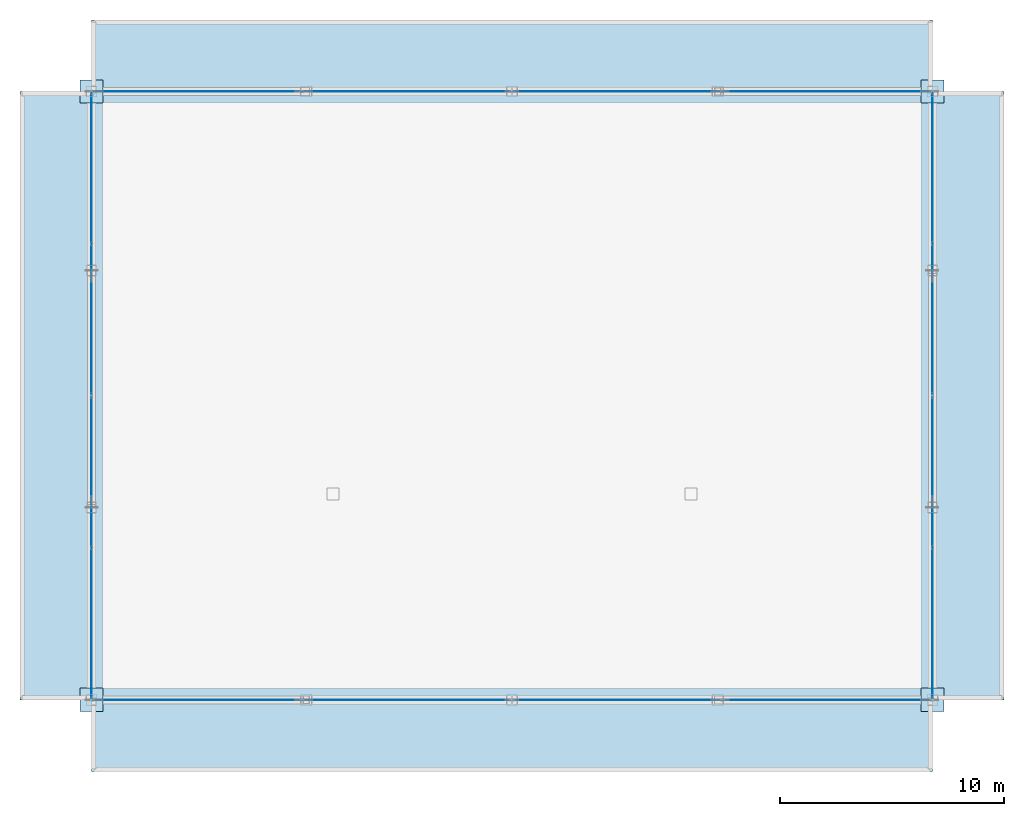
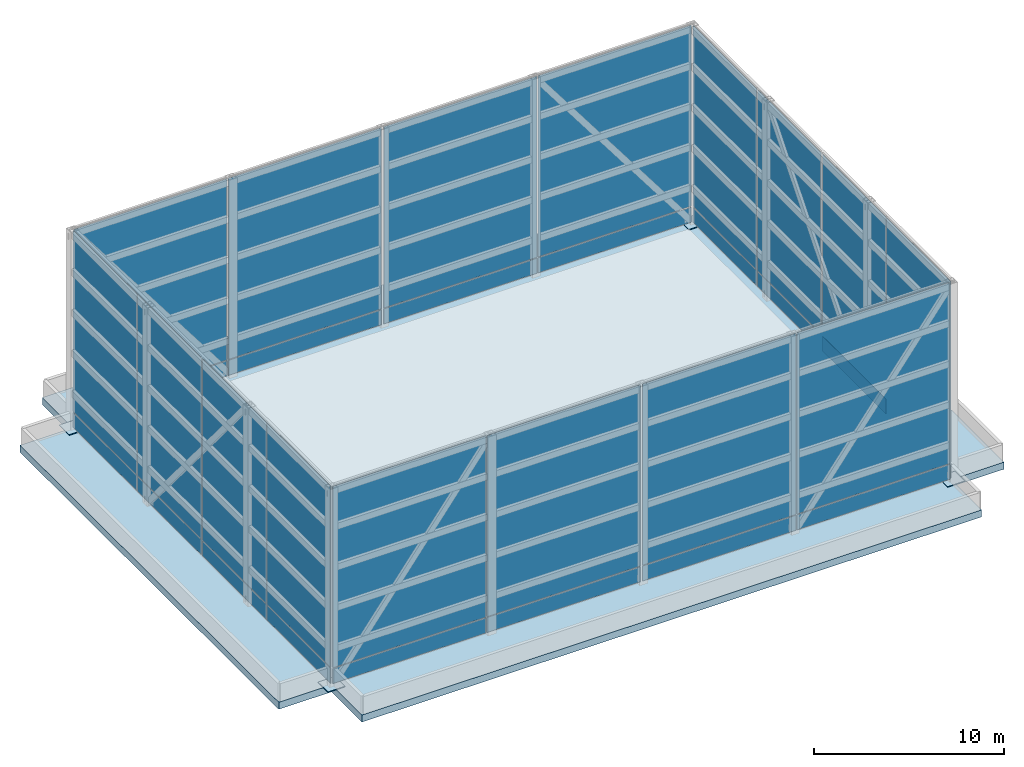
# One storey, part 20 of 23: 36 plates, 1 slab, 8 elements without a shape of their own.
"""IFC4 building model written with IfcOpenShell, lengths in metres."""

from ifc_helpers import new_model, si_unit, direction, frame, origin, origin_2d, place, context, subcontext, project, spatial, polyline, rectangle, outline, extrude, source, transform, mapped, material, layer, layer_set, type_object, type_shapes, element, aggregate, save


model = new_model("IFC4")

# Units and contexts
model_context = context("Model", 3, precision=1e-05, world=origin(), true_north=direction((0.0, 1.0)))
body_context = subcontext(model_context, "Body", "Model", "MODEL_VIEW")
ifc_project = project(units=[si_unit("LENGTHUNIT", "METRE"), si_unit("AREAUNIT", "SQUARE_METRE"), si_unit("VOLUMEUNIT", "CUBIC_METRE"), si_unit("PLANEANGLEUNIT", "RADIAN"), si_unit("MASSUNIT", "GRAM", prefix="KILO")], contexts=[model_context])

# Site, building, storey
site_placement = place(None, origin())
site = spatial("IfcSite", under=ifc_project, at=site_placement, CompositionType="ELEMENT")
building_placement = place(site_placement, origin())
building = spatial("IfcBuilding", under=site, at=building_placement, Name="Varnel Quay Broadcast Tower", CompositionType="ELEMENT")
storey_placement = place(building_placement, frame((0.0, 0.0, 319.800048828125)))
storey = spatial("IfcBuildingStorey", under=building, at=storey_placement, Name="Roof", CompositionType="ELEMENT", Elevation=319.800048828125)

# Slab
ifc_material_1 = material(Name="Concrete CSA A23.3 C50/60", Category="concrete")
ifc_layer_1 = layer(ifc_material_1, 0.449951171875, Name="Concrete CSA A23.3 C50/60")
ifc_layer_set_1 = layer_set([ifc_layer_1], Name="Concrete CSA A23.3 C50/60")
slab_type = type_object("IfcSlabType", Name="Slab_Roof450", PredefinedType="ROOF", material=ifc_layer_set_1)
slab_placement = place(storey_placement, frame((0.0, 0.0, -0.449951171875)))
element("IfcSlab", 1, at=slab_placement, inside=storey, type_object=slab_type, Name="Roof Structural Slab", PredefinedType="ROOF", context=body_context, shape_type="SweptSolid", body=[
    extrude(outline(polyline([(15.199951171875, 13.199951171875), (52.800048828125, 13.199951171875), (52.800048828125, 16.39990234375), (56.0, 16.39990234375), (56.0, 43.60009765625), (52.800048828125, 43.60009765625), (52.800048828125, 46.800048828125), (15.199951171875, 46.800048828125), (15.199951171875, 43.60009765625), (12.0, 43.60009765625), (12.0, 16.39990234375), (15.199951171875, 16.39990234375), (15.199951171875, 13.199951171875)])), origin(), (0.0, 0.0, 1.0), 0.449951171875),
])

# Plates
ifc_material_2 = material(Name="Structural Steel CSA G40.21 350WT", Category="steel")
ifc_layer_2 = layer(ifc_material_2, 0.050048828125, Name="Structural Steel CSA G40.21 350WT")
ifc_layer_set_2 = layer_set([ifc_layer_2], Name="Structural Steel CSA G40.21 350WT")
plate_type_1 = type_object("IfcPlateType", Name="Plate_BasePlate", PredefinedType="SHEET", material=ifc_layer_set_2)
shared_shape_1 = source(origin(), body_context, "Body", "SweptSolid", [
    extrude(rectangle(XDim=1.0400390625, YDim=1.0400390625, at=origin_2d()), origin(), (0.0, 0.0, 1.0), 0.050048828125),
])
type_shapes(plate_type_1, [shared_shape_1])
for number, where, z_axis, x_axis, name in (
    (2, (15.199951171875, 16.39990234375, -0.0048828125), (0.0, 0.0, 1.0), (1.0, 0.0, 0.0), "L78 Hollow Column Top Cap Plate MC-SW"),
    (3, (52.800048828125, 16.39990234375, -0.0048828125), (0.0, 0.0, 1.0), (1.0, 0.0, 0.0), "L78 Hollow Column Top Cap Plate MC-SE"),
    (4, (52.800048828125, 43.60009765625, -0.0048828125), (0.0, 0.0, 1.0), (1.0, 0.0, 0.0), "L78 Hollow Column Top Cap Plate MC-NE"),
    (5, (15.199951171875, 43.60009765625, -0.0048828125), (0.0, 0.0, 1.0), (1.0, 0.0, 0.0), "L78 Hollow Column Top Cap Plate MC-NW"),
):
    element("IfcPlate", number, at=place(storey_placement, frame(where, z_axis=z_axis, x_axis=x_axis)), inside=storey, type_object=plate_type_1, Name=name, PredefinedType="SHEET", context=body_context, shape_type="MappedRepresentation", body=[
        mapped(shared_shape_1, transform((0.0, 0.0, 0.0), x_axis=(1.0, 0.0, 0.0), y_axis=(0.0, 1.0, 0.0), z_axis=(0.0, 0.0, 1.0), scale=1.0)),
    ])

# Curtain wall, plates
ifc_material_3 = material(Name="Anodised Bronze Aluminium 6063-T6", Category="aluminium")
ifc_layer_3 = layer(ifc_material_3, 0.18994140625, Name="Anodised Bronze Aluminium 6063-T6")
ifc_layer_set_3 = layer_set([ifc_layer_3], Name="Anodised Bronze Aluminium 6063-T6")
curtain_wall_type = type_object("IfcCurtainWallType", Name="CW_CrownScreen", PredefinedType="NOTDEFINED", material=ifc_layer_set_3)
curtain_wall_1_placement = place(storey_placement, origin())
curtain_wall_1 = element("IfcCurtainWall", 6, at=curtain_wall_1_placement, inside=storey, type_object=curtain_wall_type, Name="Ring Crown Bronze Glazed Louvre Screen S1", PredefinedType="NOTDEFINED")
ifc_material_4 = material(Name="Insulated Bronze Spandrel Glass", Category="glass")
ifc_layer_4 = layer(ifc_material_4, 0.02587890625, Name="Insulated Bronze Spandrel Glass")
ifc_layer_set_4 = layer_set([ifc_layer_4], Name="Insulated Bronze Spandrel Glass")
plate_type_2 = type_object("IfcPlateType", Name="Panel_CWS-06", PredefinedType="CURTAIN_PANEL", material=ifc_layer_set_4)
shared_shape_2 = source(origin(), body_context, "Body", "SweptSolid", [
    extrude(rectangle(XDim=9.294921875, YDim=0.02587890625, at=origin_2d()), origin(), (0.0, 0.0, 1.0), 0.9599609375),
])
plate_1_placement = place(storey_placement, frame((19.91748046875, 16.39990234375, 0.06005859375), z_axis=(0.0, 0.0, 1.0), x_axis=(1.0, 0.0, 0.0)))
plate_1 = element("IfcPlate", 7, at=plate_1_placement, type_object=plate_type_2, Name="CWS-06 panel 1.1", PredefinedType="CURTAIN_PANEL", context=body_context, shape_type="MappedRepresentation", body=[
    mapped(shared_shape_2, transform((0.0, 0.0, 0.0), x_axis=(1.0, 0.0, 0.0), y_axis=(0.0, 1.0, 0.0), z_axis=(0.0, 0.0, 1.0), scale=1.0)),
])
plate_2_placement = place(storey_placement, frame((29.282470703125, 16.39990234375, 0.06005859375), z_axis=(0.0, 0.0, 1.0), x_axis=(1.0, 0.0, 0.0)))
plate_2 = element("IfcPlate", 8, at=plate_2_placement, type_object=plate_type_2, Name="CWS-06 panel 2.1", PredefinedType="CURTAIN_PANEL", context=body_context, shape_type="MappedRepresentation", body=[
    mapped(shared_shape_2, transform((0.0, 0.0, 0.0), x_axis=(1.0, 0.0, 0.0), y_axis=(0.0, 1.0, 0.0), z_axis=(0.0, 0.0, 1.0), scale=1.0)),
])

curtain_wall_2_placement = place(storey_placement, origin())
curtain_wall_2 = element("IfcCurtainWall", 9, at=curtain_wall_2_placement, inside=storey, type_object=curtain_wall_type, Name="Ring Crown Bronze Glazed Louvre Screen S2", PredefinedType="NOTDEFINED")
plate_3_placement = place(storey_placement, frame((38.717529296875, 16.39990234375, 0.06005859375), z_axis=(0.0, 0.0, 1.0), x_axis=(1.0, 0.0, 0.0)))
plate_3 = element("IfcPlate", 10, at=plate_3_placement, type_object=plate_type_2, Name="CWS-06 panel 1.1", PredefinedType="CURTAIN_PANEL", context=body_context, shape_type="MappedRepresentation", body=[
    mapped(shared_shape_2, transform((0.0, 0.0, 0.0), x_axis=(1.0, 0.0, 0.0), y_axis=(0.0, 1.0, 0.0), z_axis=(0.0, 0.0, 1.0), scale=1.0)),
])
plate_4_placement = place(storey_placement, frame((48.08251953125, 16.39990234375, 0.06005859375), z_axis=(0.0, 0.0, 1.0), x_axis=(1.0, 0.0, 0.0)))
plate_4 = element("IfcPlate", 11, at=plate_4_placement, type_object=plate_type_2, Name="CWS-06 panel 2.1", PredefinedType="CURTAIN_PANEL", context=body_context, shape_type="MappedRepresentation", body=[
    mapped(shared_shape_2, transform((0.0, 0.0, 0.0), x_axis=(1.0, 0.0, 0.0), y_axis=(0.0, 1.0, 0.0), z_axis=(0.0, 0.0, 1.0), scale=1.0)),
])

curtain_wall_3_placement = place(storey_placement, origin())
curtain_wall_3 = element("IfcCurtainWall", 12, at=curtain_wall_3_placement, inside=storey, type_object=curtain_wall_type, Name="Ring Crown Bronze Glazed Louvre Screen N1", PredefinedType="NOTDEFINED")
plate_5_placement = place(storey_placement, frame((48.08251953125, 43.60009765625, 0.06005859375), z_axis=(0.0, 0.0, 1.0), x_axis=(-1.0, 0.0, 0.0)))
plate_5 = element("IfcPlate", 13, at=plate_5_placement, type_object=plate_type_2, Name="CWS-06 panel 1.1", PredefinedType="CURTAIN_PANEL", context=body_context, shape_type="MappedRepresentation", body=[
    mapped(shared_shape_2, transform((0.0, 0.0, 0.0), x_axis=(1.0, 0.0, 0.0), y_axis=(0.0, 1.0, 0.0), z_axis=(0.0, 0.0, 1.0), scale=1.0)),
])
plate_6_placement = place(storey_placement, frame((38.717529296875, 43.60009765625, 0.06005859375), z_axis=(0.0, 0.0, 1.0), x_axis=(-1.0, 0.0, 0.0)))
plate_6 = element("IfcPlate", 14, at=plate_6_placement, type_object=plate_type_2, Name="CWS-06 panel 2.1", PredefinedType="CURTAIN_PANEL", context=body_context, shape_type="MappedRepresentation", body=[
    mapped(shared_shape_2, transform((0.0, 0.0, 0.0), x_axis=(1.0, 0.0, 0.0), y_axis=(0.0, 1.0, 0.0), z_axis=(0.0, 0.0, 1.0), scale=1.0)),
])

curtain_wall_4_placement = place(storey_placement, origin())
curtain_wall_4 = element("IfcCurtainWall", 15, at=curtain_wall_4_placement, inside=storey, type_object=curtain_wall_type, Name="Ring Crown Bronze Glazed Louvre Screen N2", PredefinedType="NOTDEFINED")
plate_7_placement = place(storey_placement, frame((29.282470703125, 43.60009765625, 0.06005859375), z_axis=(0.0, 0.0, 1.0), x_axis=(-1.0, 0.0, 0.0)))
plate_7 = element("IfcPlate", 16, at=plate_7_placement, type_object=plate_type_2, Name="CWS-06 panel 1.1", PredefinedType="CURTAIN_PANEL", context=body_context, shape_type="MappedRepresentation", body=[
    mapped(shared_shape_2, transform((0.0, 0.0, 0.0), x_axis=(1.0, 0.0, 0.0), y_axis=(0.0, 1.0, 0.0), z_axis=(0.0, 0.0, 1.0), scale=1.0)),
])
plate_8_placement = place(storey_placement, frame((19.91748046875, 43.60009765625, 0.06005859375), z_axis=(0.0, 0.0, 1.0), x_axis=(-1.0, 0.0, 0.0)))
plate_8 = element("IfcPlate", 17, at=plate_8_placement, type_object=plate_type_2, Name="CWS-06 panel 2.1", PredefinedType="CURTAIN_PANEL", context=body_context, shape_type="MappedRepresentation", body=[
    mapped(shared_shape_2, transform((0.0, 0.0, 0.0), x_axis=(1.0, 0.0, 0.0), y_axis=(0.0, 1.0, 0.0), z_axis=(0.0, 0.0, 1.0), scale=1.0)),
])

# Plate
shared_shape_3 = source(origin(), body_context, "Body", "SweptSolid", [
    extrude(rectangle(XDim=9.294921875, YDim=0.02587890625, at=origin_2d()), origin(), (0.0, 0.0, 1.0), 11.610107421875),
])
plate_9_placement = place(storey_placement, frame((19.91748046875, 16.39990234375, 1.080078125), z_axis=(0.0, 0.0, 1.0), x_axis=(1.0, 0.0, 0.0)))
plate_9 = element("IfcPlate", 18, at=plate_9_placement, type_object=plate_type_2, Name="CWS-06 panel 1.2", PredefinedType="CURTAIN_PANEL", context=body_context, shape_type="MappedRepresentation", body=[
    mapped(shared_shape_3, transform((0.0, 0.0, 0.0), x_axis=(1.0, 0.0, 0.0), y_axis=(0.0, 1.0, 0.0), z_axis=(0.0, 0.0, 1.0), scale=1.0)),
])

plate_10_placement = place(storey_placement, frame((29.282470703125, 16.39990234375, 1.080078125), z_axis=(0.0, 0.0, 1.0), x_axis=(1.0, 0.0, 0.0)))
plate_10 = element("IfcPlate", 19, at=plate_10_placement, type_object=plate_type_2, Name="CWS-06 panel 2.2", PredefinedType="CURTAIN_PANEL", context=body_context, shape_type="MappedRepresentation", body=[
    mapped(shared_shape_3, transform((0.0, 0.0, 0.0), x_axis=(1.0, 0.0, 0.0), y_axis=(0.0, 1.0, 0.0), z_axis=(0.0, 0.0, 1.0), scale=1.0)),
])

aggregate(curtain_wall_1, [plate_1, plate_9, plate_2, plate_10])

plate_11_placement = place(storey_placement, frame((38.717529296875, 16.39990234375, 1.080078125), z_axis=(0.0, 0.0, 1.0), x_axis=(1.0, 0.0, 0.0)))
plate_11 = element("IfcPlate", 20, at=plate_11_placement, type_object=plate_type_2, Name="CWS-06 panel 1.2", PredefinedType="CURTAIN_PANEL", context=body_context, shape_type="MappedRepresentation", body=[
    mapped(shared_shape_3, transform((0.0, 0.0, 0.0), x_axis=(1.0, 0.0, 0.0), y_axis=(0.0, 1.0, 0.0), z_axis=(0.0, 0.0, 1.0), scale=1.0)),
])

plate_12_placement = place(storey_placement, frame((48.08251953125, 16.39990234375, 1.080078125), z_axis=(0.0, 0.0, 1.0), x_axis=(1.0, 0.0, 0.0)))
plate_12 = element("IfcPlate", 21, at=plate_12_placement, type_object=plate_type_2, Name="CWS-06 panel 2.2", PredefinedType="CURTAIN_PANEL", context=body_context, shape_type="MappedRepresentation", body=[
    mapped(shared_shape_3, transform((0.0, 0.0, 0.0), x_axis=(1.0, 0.0, 0.0), y_axis=(0.0, 1.0, 0.0), z_axis=(0.0, 0.0, 1.0), scale=1.0)),
])

aggregate(curtain_wall_2, [plate_3, plate_11, plate_4, plate_12])

plate_13_placement = place(storey_placement, frame((48.08251953125, 43.60009765625, 1.080078125), z_axis=(0.0, 0.0, 1.0), x_axis=(-1.0, 0.0, 0.0)))
plate_13 = element("IfcPlate", 22, at=plate_13_placement, type_object=plate_type_2, Name="CWS-06 panel 1.2", PredefinedType="CURTAIN_PANEL", context=body_context, shape_type="MappedRepresentation", body=[
    mapped(shared_shape_3, transform((0.0, 0.0, 0.0), x_axis=(1.0, 0.0, 0.0), y_axis=(0.0, 1.0, 0.0), z_axis=(0.0, 0.0, 1.0), scale=1.0)),
])

plate_14_placement = place(storey_placement, frame((38.717529296875, 43.60009765625, 1.080078125), z_axis=(0.0, 0.0, 1.0), x_axis=(-1.0, 0.0, 0.0)))
plate_14 = element("IfcPlate", 23, at=plate_14_placement, type_object=plate_type_2, Name="CWS-06 panel 2.2", PredefinedType="CURTAIN_PANEL", context=body_context, shape_type="MappedRepresentation", body=[
    mapped(shared_shape_3, transform((0.0, 0.0, 0.0), x_axis=(1.0, 0.0, 0.0), y_axis=(0.0, 1.0, 0.0), z_axis=(0.0, 0.0, 1.0), scale=1.0)),
])

aggregate(curtain_wall_3, [plate_5, plate_13, plate_6, plate_14])

plate_15_placement = place(storey_placement, frame((29.282470703125, 43.60009765625, 1.080078125), z_axis=(0.0, 0.0, 1.0), x_axis=(-1.0, 0.0, 0.0)))
plate_15 = element("IfcPlate", 24, at=plate_15_placement, type_object=plate_type_2, Name="CWS-06 panel 1.2", PredefinedType="CURTAIN_PANEL", context=body_context, shape_type="MappedRepresentation", body=[
    mapped(shared_shape_3, transform((0.0, 0.0, 0.0), x_axis=(1.0, 0.0, 0.0), y_axis=(0.0, 1.0, 0.0), z_axis=(0.0, 0.0, 1.0), scale=1.0)),
])

plate_16_placement = place(storey_placement, frame((19.91748046875, 43.60009765625, 1.080078125), z_axis=(0.0, 0.0, 1.0), x_axis=(-1.0, 0.0, 0.0)))
plate_16 = element("IfcPlate", 25, at=plate_16_placement, type_object=plate_type_2, Name="CWS-06 panel 2.2", PredefinedType="CURTAIN_PANEL", context=body_context, shape_type="MappedRepresentation", body=[
    mapped(shared_shape_3, transform((0.0, 0.0, 0.0), x_axis=(1.0, 0.0, 0.0), y_axis=(0.0, 1.0, 0.0), z_axis=(0.0, 0.0, 1.0), scale=1.0)),
])

aggregate(curtain_wall_4, [plate_7, plate_15, plate_8, plate_16])

# Curtain wall, plates
curtain_wall_5_placement = place(storey_placement, origin())
curtain_wall_5 = element("IfcCurtainWall", 26, at=curtain_wall_5_placement, inside=storey, type_object=curtain_wall_type, Name="Ring Crown Bronze Glazed Louvre Screen E1", PredefinedType="NOTDEFINED")
shared_shape_4 = source(origin(), body_context, "Body", "SweptSolid", [
    extrude(rectangle(XDim=6.695068359375, YDim=0.02587890625, at=origin_2d()), origin(), (0.0, 0.0, 1.0), 0.9599609375),
])
plate_17_placement = place(storey_placement, frame((52.800048828125, 19.8173828125, 0.06005859375), z_axis=(0.0, 0.0, 1.0), x_axis=(0.0, 1.0, 0.0)))
plate_17 = element("IfcPlate", 27, at=plate_17_placement, type_object=plate_type_2, Name="CWS-06 panel 1.1", PredefinedType="CURTAIN_PANEL", context=body_context, shape_type="MappedRepresentation", body=[
    mapped(shared_shape_4, transform((0.0, 0.0, 0.0), x_axis=(1.0, 0.0, 0.0), y_axis=(0.0, 1.0, 0.0), z_axis=(0.0, 0.0, 1.0), scale=1.0)),
])
plate_18_placement = place(storey_placement, frame((52.800048828125, 26.58251953125, 0.06005859375), z_axis=(0.0, 0.0, 1.0), x_axis=(0.0, 1.0, 0.0)))
plate_18 = element("IfcPlate", 28, at=plate_18_placement, type_object=plate_type_2, Name="CWS-06 panel 2.1", PredefinedType="CURTAIN_PANEL", context=body_context, shape_type="MappedRepresentation", body=[
    mapped(shared_shape_4, transform((0.0, 0.0, 0.0), x_axis=(1.0, 0.0, 0.0), y_axis=(0.0, 1.0, 0.0), z_axis=(0.0, 0.0, 1.0), scale=1.0)),
])

curtain_wall_6_placement = place(storey_placement, origin())
curtain_wall_6 = element("IfcCurtainWall", 29, at=curtain_wall_6_placement, inside=storey, type_object=curtain_wall_type, Name="Ring Crown Bronze Glazed Louvre Screen E2", PredefinedType="NOTDEFINED")
plate_19_placement = place(storey_placement, frame((52.800048828125, 33.41748046875, 0.06005859375), z_axis=(0.0, 0.0, 1.0), x_axis=(0.0, 1.0, 0.0)))
plate_19 = element("IfcPlate", 30, at=plate_19_placement, type_object=plate_type_2, Name="CWS-06 panel 1.1", PredefinedType="CURTAIN_PANEL", context=body_context, shape_type="MappedRepresentation", body=[
    mapped(shared_shape_4, transform((0.0, 0.0, 0.0), x_axis=(1.0, 0.0, 0.0), y_axis=(0.0, 1.0, 0.0), z_axis=(0.0, 0.0, 1.0), scale=1.0)),
])
plate_20_placement = place(storey_placement, frame((52.800048828125, 40.1826171875, 0.06005859375), z_axis=(0.0, 0.0, 1.0), x_axis=(0.0, 1.0, 0.0)))
plate_20 = element("IfcPlate", 31, at=plate_20_placement, type_object=plate_type_2, Name="CWS-06 panel 2.1", PredefinedType="CURTAIN_PANEL", context=body_context, shape_type="MappedRepresentation", body=[
    mapped(shared_shape_4, transform((0.0, 0.0, 0.0), x_axis=(1.0, 0.0, 0.0), y_axis=(0.0, 1.0, 0.0), z_axis=(0.0, 0.0, 1.0), scale=1.0)),
])

curtain_wall_7_placement = place(storey_placement, origin())
curtain_wall_7 = element("IfcCurtainWall", 32, at=curtain_wall_7_placement, inside=storey, type_object=curtain_wall_type, Name="Ring Crown Bronze Glazed Louvre Screen W1", PredefinedType="NOTDEFINED")
plate_21_placement = place(storey_placement, frame((15.199951171875, 40.1826171875, 0.06005859375), z_axis=(0.0, 0.0, 1.0), x_axis=(0.0, -1.0, 0.0)))
plate_21 = element("IfcPlate", 33, at=plate_21_placement, type_object=plate_type_2, Name="CWS-06 panel 1.1", PredefinedType="CURTAIN_PANEL", context=body_context, shape_type="MappedRepresentation", body=[
    mapped(shared_shape_4, transform((0.0, 0.0, 0.0), x_axis=(1.0, 0.0, 0.0), y_axis=(0.0, 1.0, 0.0), z_axis=(0.0, 0.0, 1.0), scale=1.0)),
])
plate_22_placement = place(storey_placement, frame((15.199951171875, 33.41748046875, 0.06005859375), z_axis=(0.0, 0.0, 1.0), x_axis=(0.0, -1.0, 0.0)))
plate_22 = element("IfcPlate", 34, at=plate_22_placement, type_object=plate_type_2, Name="CWS-06 panel 2.1", PredefinedType="CURTAIN_PANEL", context=body_context, shape_type="MappedRepresentation", body=[
    mapped(shared_shape_4, transform((0.0, 0.0, 0.0), x_axis=(1.0, 0.0, 0.0), y_axis=(0.0, 1.0, 0.0), z_axis=(0.0, 0.0, 1.0), scale=1.0)),
])

curtain_wall_8_placement = place(storey_placement, origin())
curtain_wall_8 = element("IfcCurtainWall", 35, at=curtain_wall_8_placement, inside=storey, type_object=curtain_wall_type, Name="Ring Crown Bronze Glazed Louvre Screen W2", PredefinedType="NOTDEFINED")
plate_23_placement = place(storey_placement, frame((15.199951171875, 26.58251953125, 0.06005859375), z_axis=(0.0, 0.0, 1.0), x_axis=(0.0, -1.0, 0.0)))
plate_23 = element("IfcPlate", 36, at=plate_23_placement, type_object=plate_type_2, Name="CWS-06 panel 1.1", PredefinedType="CURTAIN_PANEL", context=body_context, shape_type="MappedRepresentation", body=[
    mapped(shared_shape_4, transform((0.0, 0.0, 0.0), x_axis=(1.0, 0.0, 0.0), y_axis=(0.0, 1.0, 0.0), z_axis=(0.0, 0.0, 1.0), scale=1.0)),
])
plate_24_placement = place(storey_placement, frame((15.199951171875, 19.8173828125, 0.06005859375), z_axis=(0.0, 0.0, 1.0), x_axis=(0.0, -1.0, 0.0)))
plate_24 = element("IfcPlate", 37, at=plate_24_placement, type_object=plate_type_2, Name="CWS-06 panel 2.1", PredefinedType="CURTAIN_PANEL", context=body_context, shape_type="MappedRepresentation", body=[
    mapped(shared_shape_4, transform((0.0, 0.0, 0.0), x_axis=(1.0, 0.0, 0.0), y_axis=(0.0, 1.0, 0.0), z_axis=(0.0, 0.0, 1.0), scale=1.0)),
])

# Plate
shared_shape_5 = source(origin(), body_context, "Body", "SweptSolid", [
    extrude(rectangle(XDim=6.695068359375, YDim=0.02587890625, at=origin_2d()), origin(), (0.0, 0.0, 1.0), 11.610107421875),
])
type_shapes(plate_type_2, [shared_shape_2, shared_shape_3, shared_shape_4, shared_shape_5])
plate_25_placement = place(storey_placement, frame((52.800048828125, 19.8173828125, 1.080078125), z_axis=(0.0, 0.0, 1.0), x_axis=(0.0, 1.0, 0.0)))
plate_25 = element("IfcPlate", 38, at=plate_25_placement, type_object=plate_type_2, Name="CWS-06 panel 1.2", PredefinedType="CURTAIN_PANEL", context=body_context, shape_type="MappedRepresentation", body=[
    mapped(shared_shape_5, transform((0.0, 0.0, 0.0), x_axis=(1.0, 0.0, 0.0), y_axis=(0.0, 1.0, 0.0), z_axis=(0.0, 0.0, 1.0), scale=1.0)),
])

plate_26_placement = place(storey_placement, frame((52.800048828125, 26.58251953125, 1.080078125), z_axis=(0.0, 0.0, 1.0), x_axis=(0.0, 1.0, 0.0)))
plate_26 = element("IfcPlate", 39, at=plate_26_placement, type_object=plate_type_2, Name="CWS-06 panel 2.2", PredefinedType="CURTAIN_PANEL", context=body_context, shape_type="MappedRepresentation", body=[
    mapped(shared_shape_5, transform((0.0, 0.0, 0.0), x_axis=(1.0, 0.0, 0.0), y_axis=(0.0, 1.0, 0.0), z_axis=(0.0, 0.0, 1.0), scale=1.0)),
])

aggregate(curtain_wall_5, [plate_17, plate_25, plate_18, plate_26])

plate_27_placement = place(storey_placement, frame((52.800048828125, 33.41748046875, 1.080078125), z_axis=(0.0, 0.0, 1.0), x_axis=(0.0, 1.0, 0.0)))
plate_27 = element("IfcPlate", 40, at=plate_27_placement, type_object=plate_type_2, Name="CWS-06 panel 1.2", PredefinedType="CURTAIN_PANEL", context=body_context, shape_type="MappedRepresentation", body=[
    mapped(shared_shape_5, transform((0.0, 0.0, 0.0), x_axis=(1.0, 0.0, 0.0), y_axis=(0.0, 1.0, 0.0), z_axis=(0.0, 0.0, 1.0), scale=1.0)),
])

plate_28_placement = place(storey_placement, frame((52.800048828125, 40.1826171875, 1.080078125), z_axis=(0.0, 0.0, 1.0), x_axis=(0.0, 1.0, 0.0)))
plate_28 = element("IfcPlate", 41, at=plate_28_placement, type_object=plate_type_2, Name="CWS-06 panel 2.2", PredefinedType="CURTAIN_PANEL", context=body_context, shape_type="MappedRepresentation", body=[
    mapped(shared_shape_5, transform((0.0, 0.0, 0.0), x_axis=(1.0, 0.0, 0.0), y_axis=(0.0, 1.0, 0.0), z_axis=(0.0, 0.0, 1.0), scale=1.0)),
])

aggregate(curtain_wall_6, [plate_19, plate_27, plate_20, plate_28])

plate_29_placement = place(storey_placement, frame((15.199951171875, 40.1826171875, 1.080078125), z_axis=(0.0, 0.0, 1.0), x_axis=(0.0, -1.0, 0.0)))
plate_29 = element("IfcPlate", 42, at=plate_29_placement, type_object=plate_type_2, Name="CWS-06 panel 1.2", PredefinedType="CURTAIN_PANEL", context=body_context, shape_type="MappedRepresentation", body=[
    mapped(shared_shape_5, transform((0.0, 0.0, 0.0), x_axis=(1.0, 0.0, 0.0), y_axis=(0.0, 1.0, 0.0), z_axis=(0.0, 0.0, 1.0), scale=1.0)),
])

plate_30_placement = place(storey_placement, frame((15.199951171875, 33.41748046875, 1.080078125), z_axis=(0.0, 0.0, 1.0), x_axis=(0.0, -1.0, 0.0)))
plate_30 = element("IfcPlate", 43, at=plate_30_placement, type_object=plate_type_2, Name="CWS-06 panel 2.2", PredefinedType="CURTAIN_PANEL", context=body_context, shape_type="MappedRepresentation", body=[
    mapped(shared_shape_5, transform((0.0, 0.0, 0.0), x_axis=(1.0, 0.0, 0.0), y_axis=(0.0, 1.0, 0.0), z_axis=(0.0, 0.0, 1.0), scale=1.0)),
])

aggregate(curtain_wall_7, [plate_21, plate_29, plate_22, plate_30])

plate_31_placement = place(storey_placement, frame((15.199951171875, 26.58251953125, 1.080078125), z_axis=(0.0, 0.0, 1.0), x_axis=(0.0, -1.0, 0.0)))
plate_31 = element("IfcPlate", 44, at=plate_31_placement, type_object=plate_type_2, Name="CWS-06 panel 1.2", PredefinedType="CURTAIN_PANEL", context=body_context, shape_type="MappedRepresentation", body=[
    mapped(shared_shape_5, transform((0.0, 0.0, 0.0), x_axis=(1.0, 0.0, 0.0), y_axis=(0.0, 1.0, 0.0), z_axis=(0.0, 0.0, 1.0), scale=1.0)),
])

plate_32_placement = place(storey_placement, frame((15.199951171875, 19.8173828125, 1.080078125), z_axis=(0.0, 0.0, 1.0), x_axis=(0.0, -1.0, 0.0)))
plate_32 = element("IfcPlate", 45, at=plate_32_placement, type_object=plate_type_2, Name="CWS-06 panel 2.2", PredefinedType="CURTAIN_PANEL", context=body_context, shape_type="MappedRepresentation", body=[
    mapped(shared_shape_5, transform((0.0, 0.0, 0.0), x_axis=(1.0, 0.0, 0.0), y_axis=(0.0, 1.0, 0.0), z_axis=(0.0, 0.0, 1.0), scale=1.0)),
])

aggregate(curtain_wall_8, [plate_23, plate_31, plate_24, plate_32])

save(model, "model.ifc")
